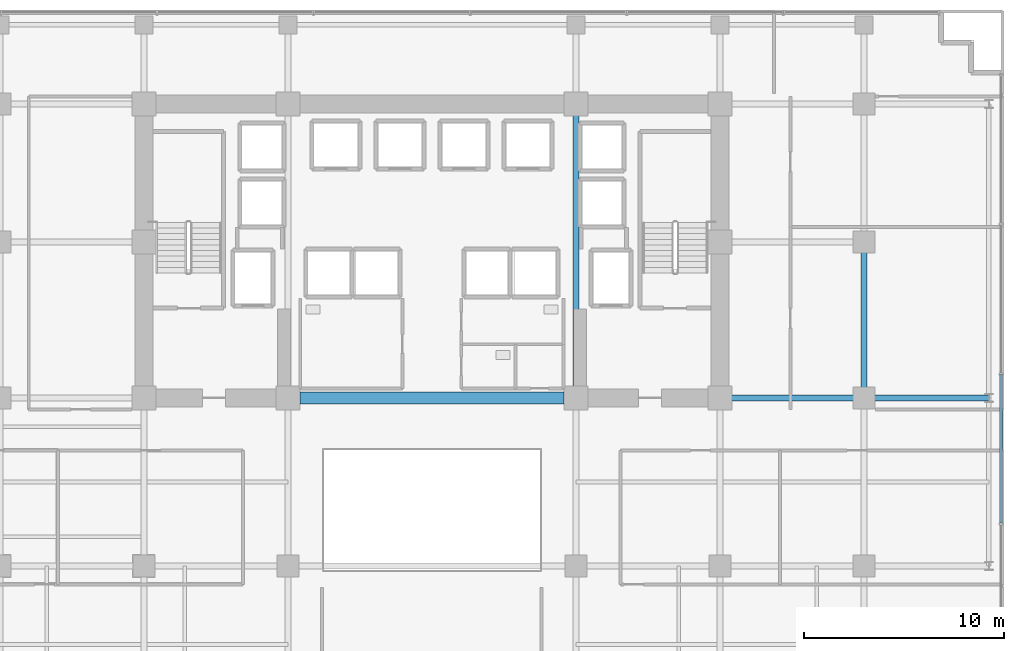
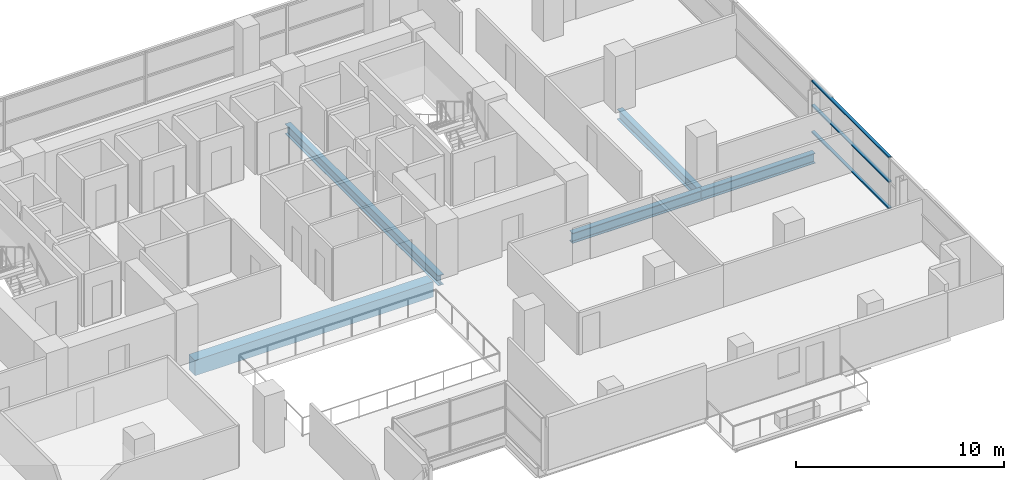
# One storey, part 14 of 30: 5 beams, 3 members, 1 element without a shape of its own.
"""IFC4 building model written with IfcOpenShell, lengths in metres."""

from ifc_helpers import new_model, si_unit, direction, frame, origin, origin_2d, place, context, subcontext, project, spatial, rectangle, hollow_rectangle, i_section, extrude, source, transform, mapped, material, layer, layer_set, material_profile, profile_set, type_object, element, aggregate, save


model = new_model("IFC4")

# Units and contexts
model_context = context("Model", 3, precision=1e-05, world=origin(), true_north=direction((0.0, 1.0)))
body_context = subcontext(model_context, "Body", "Model", "MODEL_VIEW")
ifc_project = project(units=[si_unit("LENGTHUNIT", "METRE"), si_unit("AREAUNIT", "SQUARE_METRE"), si_unit("VOLUMEUNIT", "CUBIC_METRE"), si_unit("PLANEANGLEUNIT", "RADIAN"), si_unit("MASSUNIT", "GRAM", prefix="KILO")], contexts=[model_context])

# Site, building, storey
site_placement = place(None, origin())
site = spatial("IfcSite", under=ifc_project, at=site_placement, CompositionType="ELEMENT")
building_placement = place(site_placement, origin())
building = spatial("IfcBuilding", under=site, at=building_placement, Name="Zarnakvel Exchange Tower", CompositionType="ELEMENT")
storey_placement = place(building_placement, frame((0.0, 0.0, 34.0)))
storey = spatial("IfcBuildingStorey", under=building, at=storey_placement, Name="L08", CompositionType="ELEMENT", Elevation=34.0)

# Beams
ifc_material_1 = material(Name="Concrete C80/95", Category="concrete")
ifc_material_profile_1 = material_profile(ifc_material_1, rectangle(XDim=0.60009765625, YDim=0.89990234375, at=origin_2d()))
ifc_profile_set_1 = profile_set([ifc_material_profile_1], Name="Concrete C80/95")
beam_type_1 = type_object("IfcBeamType", Name="CB-01", PredefinedType="LINTEL", material=ifc_profile_set_1)
beam_1_placement = place(storey_placement, frame((-6.60009765625, -1.199951171875, -0.675048828125), z_axis=(1.0, 0.0, 0.0), x_axis=(0.0, 1.0, 0.0)))
element("IfcBeam", 1, at=beam_1_placement, inside=storey, type_object=beam_type_1, Name="L08 Rear Core South Coupling Beam (CB-01)", PredefinedType="LINTEL", context=body_context, shape_type="SweptSolid", body=[
    extrude(rectangle(XDim=0.60009765625, YDim=0.89990234375, at=origin_2d()), origin(), (0.0, 0.0, 1.0), 13.2001953125),
])
ifc_material_2 = material(Name="Steel S355", Category="steel")
ifc_material_profile_2 = material_profile(ifc_material_2, i_section(OverallWidth=0.300048828125, OverallDepth=0.60009765625, WebThickness=0.015380859375, FlangeThickness=0.030029296875, FilletRadius=0.027099609375, at=origin_2d()))
ifc_profile_set_2 = profile_set([ifc_material_profile_2], Name="Steel S355")
beam_type_2 = type_object("IfcBeamType", Name="G-04", PredefinedType="BEAM", material=ifc_profile_set_2)
beam_2_placement = place(storey_placement, frame((14.39990234375, -1.199951171875, -0.52490234375), z_axis=(1.0, 0.0, 0.0), x_axis=(0.0, 1.0, 0.0)))
element("IfcBeam", 2, at=beam_2_placement, inside=storey, type_object=beam_type_2, Name="L08 Tower E-W Frame Beam", PredefinedType="BEAM", context=body_context, shape_type="SweptSolid", body=[
    extrude(i_section(OverallWidth=0.300048828125, OverallDepth=0.60009765625, WebThickness=0.015380859375, FlangeThickness=0.030029296875, FilletRadius=0.027099609375, at=origin_2d()), origin(), (0.0, 0.0, 1.0), 7.2001953125),
])
beam_3_placement = place(storey_placement, frame((21.60009765625, -1.199951171875, -0.52490234375), z_axis=(1.0, 0.0, 0.0), x_axis=(0.0, 1.0, 0.0)))
element("IfcBeam", 3, at=beam_3_placement, inside=storey, type_object=beam_type_2, Name="L08 Tower E-W Frame Beam", PredefinedType="BEAM", context=body_context, shape_type="SweptSolid", body=[
    extrude(i_section(OverallWidth=0.300048828125, OverallDepth=0.60009765625, WebThickness=0.015380859375, FlangeThickness=0.030029296875, FilletRadius=0.027099609375, at=origin_2d()), origin(), (0.0, 0.0, 1.0), 6.25),
])
beam_4_placement = place(storey_placement, frame((7.199951171875, -1.199951171875, -0.52490234375), z_axis=(0.0, 1.0, 0.0), x_axis=(-1.0, 0.0, 0.0)))
element("IfcBeam", 4, at=beam_4_placement, inside=storey, type_object=beam_type_2, Name="L08 Tower N-S Frame Beam", PredefinedType="BEAM", context=body_context, shape_type="SweptSolid", body=[
    extrude(i_section(OverallWidth=0.300048828125, OverallDepth=0.60009765625, WebThickness=0.015380859375, FlangeThickness=0.030029296875, FilletRadius=0.027099609375, at=origin_2d()), origin(), (0.0, 0.0, 1.0), 14.699951171875),
])
beam_5_placement = place(storey_placement, frame((21.60009765625, -1.199951171875, -0.52490234375), z_axis=(0.0, 1.0, 0.0), x_axis=(-1.0, 0.0, 0.0)))
element("IfcBeam", 5, at=beam_5_placement, inside=storey, type_object=beam_type_2, Name="L08 Tower N-S Frame Beam", PredefinedType="BEAM", context=body_context, shape_type="SweptSolid", body=[
    extrude(i_section(OverallWidth=0.300048828125, OverallDepth=0.60009765625, WebThickness=0.015380859375, FlangeThickness=0.030029296875, FilletRadius=0.027099609375, at=origin_2d()), origin(), (0.0, 0.0, 1.0), 7.800048828125),
])

# Curtain wall, members
ifc_material_3 = material(Name="Architectural Bronze Anodised Aluminium", Category="aluminium")
ifc_layer = layer(ifc_material_3, 0.199951171875)
ifc_layer_set = layer_set([ifc_layer], Name="Architectural Bronze Anodised Aluminium")
curtain_wall_type = type_object("IfcCurtainWallType", Name="CW-04", PredefinedType="NOTDEFINED", material=ifc_layer_set)
curtain_wall_placement = place(storey_placement, origin())
curtain_wall = element("IfcCurtainWall", 6, at=curtain_wall_placement, inside=storey, type_object=curtain_wall_type, Name="L08 Curtain Wall CW-L08-E1 (CW-04)", PredefinedType="NOTDEFINED")
ifc_material_profile_3 = material_profile(ifc_material_3, hollow_rectangle(XDim=0.159912109375, YDim=0.074951171875, WallThickness=0.00390625, at=origin_2d()))
ifc_profile_set_3 = profile_set([ifc_material_profile_3], Name="Architectural Bronze Anodised Aluminium")
member_type = type_object("IfcMemberType", Name="CWT-04", PredefinedType="USERDEFINED", material=ifc_profile_set_3)
shared_shape = source(origin(), body_context, "Body", "SweptSolid", [
    extrude(hollow_rectangle(XDim=0.159912109375, YDim=0.074951171875, WallThickness=0.00390625, at=origin_2d()), origin(), (0.0, 0.0, 1.0), 7.4248046875),
])
member_1_placement = place(storey_placement, frame((28.4599609375, -7.46240234375, 0.03759765625), z_axis=(0.0, 1.0, 0.0), x_axis=(-1.0, 0.0, 0.0)))
member_1 = element("IfcMember", 7, at=member_1_placement, type_object=member_type, Name="CW-04 transom 2.1", ObjectType="TRANSOM", PredefinedType="USERDEFINED", context=body_context, shape_type="MappedRepresentation", body=[
    mapped(shared_shape, transform((0.0, 0.0, 0.0), x_axis=(1.0, 0.0, 0.0), y_axis=(0.0, 1.0, 0.0), z_axis=(0.0, 0.0, 1.0), scale=1.0)),
])
member_2_placement = place(storey_placement, frame((28.4599609375, -7.46240234375, 1.588623046875), z_axis=(0.0, 1.0, 0.0), x_axis=(-1.0, 0.0, 0.0)))
member_2 = element("IfcMember", 8, at=member_2_placement, type_object=member_type, Name="CW-04 transom 2.2", ObjectType="TRANSOM", PredefinedType="USERDEFINED", context=body_context, shape_type="MappedRepresentation", body=[
    mapped(shared_shape, transform((0.0, 0.0, 0.0), x_axis=(1.0, 0.0, 0.0), y_axis=(0.0, 1.0, 0.0), z_axis=(0.0, 0.0, 1.0), scale=1.0)),
])
member_3_placement = place(storey_placement, frame((28.4599609375, -7.46240234375, 3.017578125), z_axis=(0.0, 1.0, 0.0), x_axis=(-1.0, 0.0, 0.0)))
member_3 = element("IfcMember", 9, at=member_3_placement, type_object=member_type, Name="CW-04 transom 2.3", ObjectType="TRANSOM", PredefinedType="USERDEFINED", context=body_context, shape_type="MappedRepresentation", body=[
    mapped(shared_shape, transform((0.0, 0.0, 0.0), x_axis=(1.0, 0.0, 0.0), y_axis=(0.0, 1.0, 0.0), z_axis=(0.0, 0.0, 1.0), scale=1.0)),
])
aggregate(curtain_wall, [member_1, member_2, member_3])

save(model, "model.ifc")
